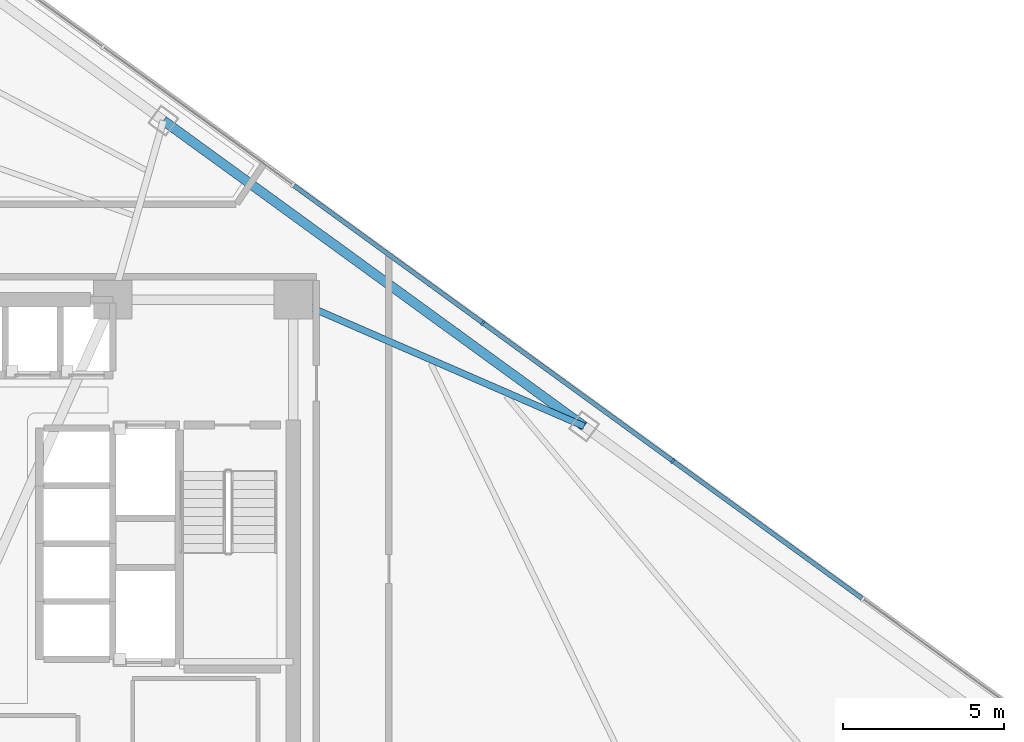
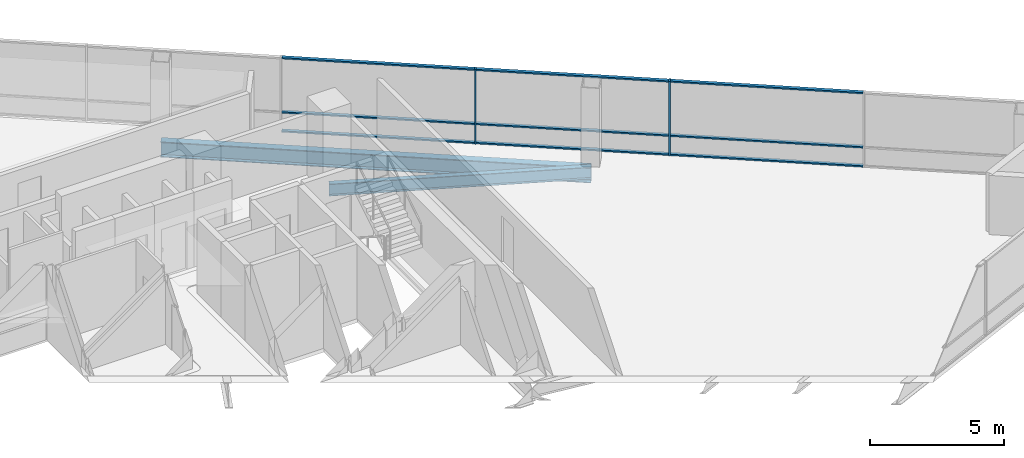
# One storey, part 9 of 16: 11 members, 2 beams, 1 element without a shape of its own.
"""IFC4 building model written with IfcOpenShell, lengths in metres."""

from ifc_helpers import new_model, si_unit, direction, frame, origin, origin_2d, place, context, subcontext, project, spatial, rectangle, i_section, extrude, material, layer, layer_set, material_profile, profile_set, type_object, element, aggregate, save


model = new_model("IFC4")

# Units and contexts
model_context = context("Model", 3, precision=1e-05, world=origin(), true_north=direction((0.0, 1.0)))
body_context = subcontext(model_context, "Body", "Model", "MODEL_VIEW")
ifc_project = project(units=[si_unit("LENGTHUNIT", "METRE"), si_unit("AREAUNIT", "SQUARE_METRE"), si_unit("VOLUMEUNIT", "CUBIC_METRE"), si_unit("PLANEANGLEUNIT", "RADIAN"), si_unit("MASSUNIT", "GRAM", prefix="KILO")], contexts=[model_context])

# Site, building, storey
site_placement = place(None, origin())
site = spatial("IfcSite", under=ifc_project, at=site_placement, CompositionType="ELEMENT")
building_placement = place(site_placement, origin())
building = spatial("IfcBuilding", under=site, at=building_placement, Name="Tharavind Bronze Gate", CompositionType="ELEMENT")
storey_placement = place(building_placement, frame((0.0, 0.0, 123.25)))
storey = spatial("IfcBuildingStorey", under=building, at=storey_placement, Name="L31", CompositionType="ELEMENT", Elevation=123.25)

# Curtain wall, members
ifc_material_1 = material(Name="Anodised Bronze Aluminium", Category="aluminium")
ifc_layer = layer(ifc_material_1, 0.219970703125)
ifc_layer_set = layer_set([ifc_layer], Name="Anodised Bronze Aluminium")
curtain_wall_type = type_object("IfcCurtainWallType", Name="UNITISED CURTAIN WALL LOWER OFFICE", PredefinedType="USERDEFINED", material=ifc_layer_set)
curtain_wall_placement = place(storey_placement, origin())
curtain_wall = element("IfcCurtainWall", 1, at=curtain_wall_placement, inside=storey, type_object=curtain_wall_type, Name="L31 unitised curtain wall lower office CW-L31-S3", ObjectType="UNITISED CURTAIN WALL", PredefinedType="USERDEFINED")
member_type_1 = type_object("IfcMemberType", Name="CURTAIN WALL BRONZE MULLION 65X180", PredefinedType="MULLION", material=ifc_material_1)
member_1_placement = place(storey_placement, frame((20.724365234375, 2.577392578125, 0.0), z_axis=(0.0, 0.0, 1.0), x_axis=(-0.809016994375, 0.587785252292, 0.0)))
member_1 = element("IfcMember", 2, at=member_1_placement, type_object=member_type_1, Name="CW-L31-S3 mullion 3", PredefinedType="MULLION", context=body_context, shape_type="SweptSolid", body=[
    extrude(rectangle(XDim=0.06494140625, YDim=0.179931640625, at=origin_2d()), origin(), (0.0, 0.0, 1.0), 3.409912109375),
])
member_2_placement = place(storey_placement, frame((14.807861328125, 6.876220703125, 0.0), z_axis=(0.0, 0.0, 1.0), x_axis=(-0.809016994375, 0.587785252292, 0.0)))
member_2 = element("IfcMember", 3, at=member_2_placement, type_object=member_type_1, Name="CW-L31-S3 mullion 4", PredefinedType="MULLION", context=body_context, shape_type="SweptSolid", body=[
    extrude(rectangle(XDim=0.06494140625, YDim=0.179931640625, at=origin_2d()), origin(), (0.0, 0.0, 1.0), 3.409912109375),
])
member_type_2 = type_object("IfcMemberType", Name="CURTAIN WALL BRONZE TRANSOM 65X140", PredefinedType="USERDEFINED", material=ifc_material_1)
member_3_placement = place(storey_placement, frame((23.6826171875, 0.427978515625, 0.0), z_axis=(0.0, 0.0, 1.0), x_axis=(-0.809016994375, 0.587785252292, 0.0)))
member_3 = element("IfcMember", 4, at=member_3_placement, type_object=member_type_2, Name="CW-L31-S3 transom TB2", ObjectType="TRANSOM", PredefinedType="USERDEFINED", context=body_context, shape_type="SweptSolid", body=[
    extrude(rectangle(XDim=7.260498046875, YDim=0.139892578125, at=origin_2d()), origin(), (0.0, 0.0, 1.0), 0.06494140625),
])
member_4_placement = place(storey_placement, frame((23.6826171875, 0.427978515625, 0.867431640625), z_axis=(0.0, 0.0, 1.0), x_axis=(-0.809016994375, 0.587785252292, 0.0)))
member_4 = element("IfcMember", 5, at=member_4_placement, type_object=member_type_2, Name="CW-L31-S3 transom TS2", ObjectType="TRANSOM", PredefinedType="USERDEFINED", context=body_context, shape_type="SweptSolid", body=[
    extrude(rectangle(XDim=7.260498046875, YDim=0.139892578125, at=origin_2d()), origin(), (0.0, 0.0, 1.0), 0.06494140625),
])
member_5_placement = place(storey_placement, frame((23.6826171875, 0.427978515625, 3.344970703125), z_axis=(0.0, 0.0, 1.0), x_axis=(-0.809016994375, 0.587785252292, 0.0)))
member_5 = element("IfcMember", 6, at=member_5_placement, type_object=member_type_2, Name="CW-L31-S3 transom TT2", ObjectType="TRANSOM", PredefinedType="USERDEFINED", context=body_context, shape_type="SweptSolid", body=[
    extrude(rectangle(XDim=7.260498046875, YDim=0.139892578125, at=origin_2d()), origin(), (0.0, 0.0, 1.0), 0.06494140625),
])
member_6_placement = place(storey_placement, frame((17.76611328125, 4.726806640625, 0.0), z_axis=(0.0, 0.0, 1.0), x_axis=(-0.809016994375, 0.587785252292, 0.0)))
member_6 = element("IfcMember", 7, at=member_6_placement, type_object=member_type_2, Name="CW-L31-S3 transom TB3", ObjectType="TRANSOM", PredefinedType="USERDEFINED", context=body_context, shape_type="SweptSolid", body=[
    extrude(rectangle(XDim=7.260498046875, YDim=0.139892578125, at=origin_2d()), origin(), (0.0, 0.0, 1.0), 0.06494140625),
])
member_7_placement = place(storey_placement, frame((17.76611328125, 4.726806640625, 0.867431640625), z_axis=(0.0, 0.0, 1.0), x_axis=(-0.809016994375, 0.587785252292, 0.0)))
member_7 = element("IfcMember", 8, at=member_7_placement, type_object=member_type_2, Name="CW-L31-S3 transom TS3", ObjectType="TRANSOM", PredefinedType="USERDEFINED", context=body_context, shape_type="SweptSolid", body=[
    extrude(rectangle(XDim=7.260498046875, YDim=0.139892578125, at=origin_2d()), origin(), (0.0, 0.0, 1.0), 0.06494140625),
])
member_8_placement = place(storey_placement, frame((17.76611328125, 4.726806640625, 3.344970703125), z_axis=(0.0, 0.0, 1.0), x_axis=(-0.809016994375, 0.587785252292, 0.0)))
member_8 = element("IfcMember", 9, at=member_8_placement, type_object=member_type_2, Name="CW-L31-S3 transom TT3", ObjectType="TRANSOM", PredefinedType="USERDEFINED", context=body_context, shape_type="SweptSolid", body=[
    extrude(rectangle(XDim=7.260498046875, YDim=0.139892578125, at=origin_2d()), origin(), (0.0, 0.0, 1.0), 0.06494140625),
])
member_9_placement = place(storey_placement, frame((11.849365234375, 9.025390625, 0.0), z_axis=(0.0, 0.0, 1.0), x_axis=(-0.809016994375, 0.587785252292, 0.0)))
member_9 = element("IfcMember", 10, at=member_9_placement, type_object=member_type_2, Name="CW-L31-S3 transom TB4", ObjectType="TRANSOM", PredefinedType="USERDEFINED", context=body_context, shape_type="SweptSolid", body=[
    extrude(rectangle(XDim=7.260498046875, YDim=0.139892578125, at=origin_2d()), origin(), (0.0, 0.0, 1.0), 0.06494140625),
])
member_10_placement = place(storey_placement, frame((11.849365234375, 9.025390625, 0.867431640625), z_axis=(0.0, 0.0, 1.0), x_axis=(-0.809016994375, 0.587785252292, 0.0)))
member_10 = element("IfcMember", 11, at=member_10_placement, type_object=member_type_2, Name="CW-L31-S3 transom TS4", ObjectType="TRANSOM", PredefinedType="USERDEFINED", context=body_context, shape_type="SweptSolid", body=[
    extrude(rectangle(XDim=7.260498046875, YDim=0.139892578125, at=origin_2d()), origin(), (0.0, 0.0, 1.0), 0.06494140625),
])
member_11_placement = place(storey_placement, frame((11.849365234375, 9.025390625, 3.344970703125), z_axis=(0.0, 0.0, 1.0), x_axis=(-0.809016994375, 0.587785252292, 0.0)))
member_11 = element("IfcMember", 12, at=member_11_placement, type_object=member_type_2, Name="CW-L31-S3 transom TT4", ObjectType="TRANSOM", PredefinedType="USERDEFINED", context=body_context, shape_type="SweptSolid", body=[
    extrude(rectangle(XDim=7.260498046875, YDim=0.139892578125, at=origin_2d()), origin(), (0.0, 0.0, 1.0), 0.06494140625),
])
aggregate(curtain_wall, [member_1, member_2, member_3, member_4, member_5, member_6, member_7, member_8, member_9, member_10, member_11])

# Beams
ifc_material_2 = material(Name="Steel S355", Category="steel")
ifc_material_profile_1 = material_profile(ifc_material_2, i_section(OverallWidth=0.2099609375, OverallDepth=0.550048828125, WebThickness=0.010986328125, FlangeThickness=0.01708984375, at=origin_2d()), Name="IPE550")
ifc_profile_set_1 = profile_set([ifc_material_profile_1], Name="Steel S355")
beam_type_1 = type_object("IfcBeamType", Name="PRIMARY GIRDER IPE550", PredefinedType="USERDEFINED", material=ifc_profile_set_1)
beam_1_placement = place(storey_placement, frame((17.961181640625, 3.658203125, -0.465087890625), z_axis=(-0.916988336064, 0.398914015199, 0.0), x_axis=(-0.398914015199, -0.916988336064, 0.0)))
element("IfcBeam", 13, at=beam_1_placement, inside=storey, type_object=beam_type_1, Name="L31 primary girder ipe550 BM-L31-RAD10", ObjectType="GIRDER", PredefinedType="USERDEFINED", context=body_context, shape_type="SweptSolid", body=[
    extrude(i_section(OverallWidth=0.2099609375, OverallDepth=0.550048828125, WebThickness=0.010986328125, FlangeThickness=0.01708984375, at=origin_2d()), origin(), (0.0, 0.0, 1.0), 9.881591796875),
])
ifc_material_profile_2 = material_profile(ifc_material_2, i_section(OverallWidth=0.300048828125, OverallDepth=0.699951171875, WebThickness=0.01708984375, FlangeThickness=0.031982421875, at=origin_2d()), Name="HE700B")
ifc_profile_set_2 = profile_set([ifc_material_profile_2], Name="Steel S355")
beam_type_2 = type_object("IfcBeamType", Name="RING GIRDER HE700B", PredefinedType="USERDEFINED", material=ifc_profile_set_2)
beam_2_placement = place(storey_placement, frame((17.961181640625, 3.658203125, -0.5400390625), z_axis=(-0.809019501524, 0.587781801482, 0.0), x_axis=(-0.587781801482, -0.809019501524, 0.0)))
element("IfcBeam", 14, at=beam_2_placement, inside=storey, type_object=beam_type_2, Name="L31 ring girder he700b BM-L31-PRG10", ObjectType="GIRDER", PredefinedType="USERDEFINED", context=body_context, shape_type="SweptSolid", body=[
    extrude(i_section(OverallWidth=0.300048828125, OverallDepth=0.699951171875, WebThickness=0.01708984375, FlangeThickness=0.031982421875, at=origin_2d()), origin(), (0.0, 0.0, 1.0), 16.198486328125),
])

save(model, "model.ifc")
